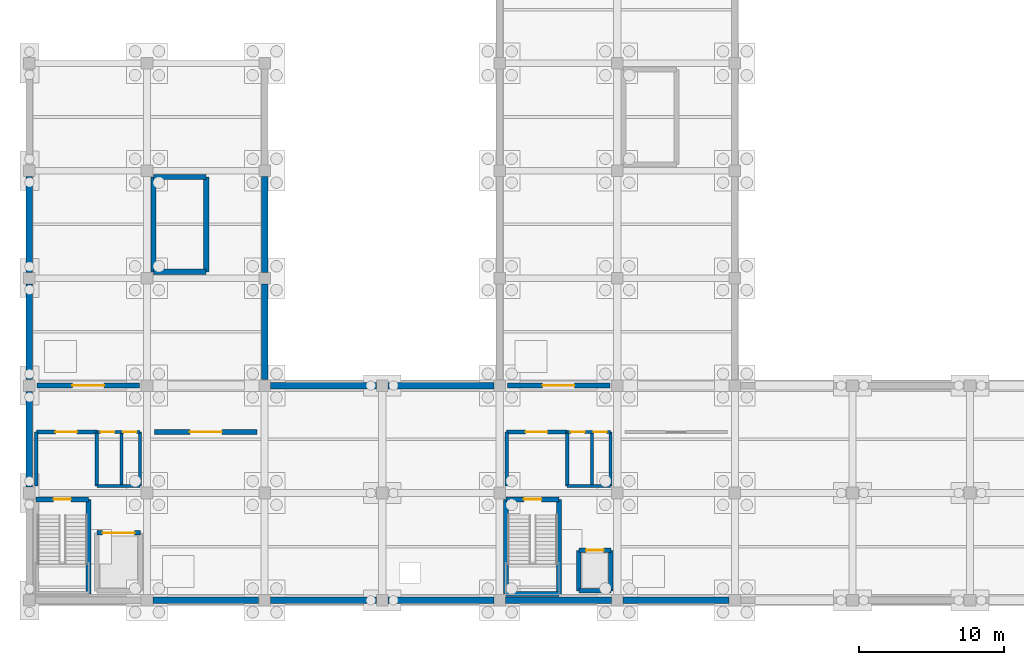
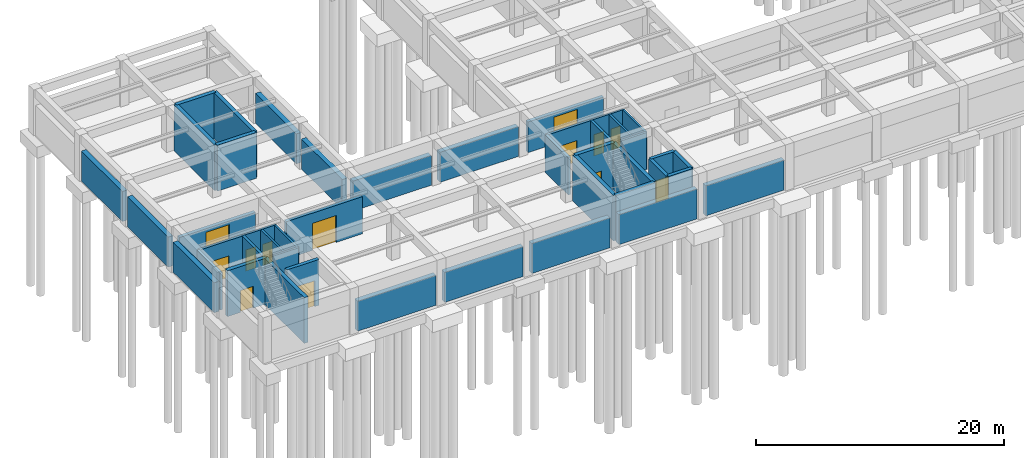
# One storey, part 7 of 14: 44 walls, 13 doors, 13 openings.
"""IFC4 building model written with IfcOpenShell, lengths in metres."""

from ifc_helpers import new_model, si_unit, direction, frame, frame_2d, origin, place, context, subcontext, project, spatial, rectangle, extrude, material, layer, layer_set, type_object, element, fill, save


model = new_model("IFC4")

# Units and contexts
model_context = context("Model", 3, precision=1e-05, world=origin(), true_north=direction((0.0, 1.0)))
body_context = subcontext(model_context, "Body", "Model", "MODEL_VIEW")
ifc_project = project(units=[si_unit("LENGTHUNIT", "METRE"), si_unit("AREAUNIT", "SQUARE_METRE"), si_unit("VOLUMEUNIT", "CUBIC_METRE"), si_unit("PLANEANGLEUNIT", "RADIAN"), si_unit("MASSUNIT", "GRAM", prefix="KILO")], contexts=[model_context])

# Site, building, storey
site_placement = place(None, origin())
site = spatial("IfcSite", under=ifc_project, at=site_placement, CompositionType="ELEMENT")
building_placement = place(site_placement, origin())
building = spatial("IfcBuilding", under=site, at=building_placement, Name="Cimatlan Art Gallery", CompositionType="ELEMENT")
storey_placement = place(building_placement, frame((0.0, 0.0, -4.800048828125)))
storey = spatial("IfcBuildingStorey", under=building, at=storey_placement, Name="B1", CompositionType="ELEMENT", Elevation=-4.800048828125)

# Wall, opening, door
ifc_material_1 = material(Name="Concrete C40/50", Category="concrete")
ifc_layer_1 = layer(ifc_material_1, 0.31005859375)
ifc_layer_set_1 = layer_set([ifc_layer_1], Name="Concrete C40/50")
wall_type_1 = type_object("IfcWallType", Name="W-CORE-310", PredefinedType="SHEAR", material=ifc_layer_set_1)
wall_1_placement = place(storey_placement, frame((6.64990234375, 28.550048828125, 0.0), z_axis=(0.0, 0.0, 1.0), x_axis=(1.0, 0.0, 0.0)))
wall_1 = element("IfcWall", 1, at=wall_1_placement, inside=storey, type_object=wall_type_1, Name="WL-SHFT-C1-B1-LN", PredefinedType="SHEAR", context=body_context, shape_type="SweptSolid", body=[
    extrude(rectangle(XDim=3.0, YDim=0.31005859375, at=frame_2d((1.5, 0.0))), origin(), (0.0, 0.0, 1.0), 4.51513671875),
])
opening_1_placement = place(wall_1_placement, frame((0.39990234375, 0.0, 0.0)))
opening_1 = element("IfcOpeningElement", 2, at=opening_1_placement, cuts=wall_1, Name="Opening LD-C1-B1", PredefinedType="OPENING", context=body_context, shape_type="SweptSolid", body=[
    extrude(rectangle(XDim=2.199951171875, YDim=2.550048828125, at=frame_2d((1.10009765625, 1.27490234375))), frame((0.0, 0.1650390625, 0.0), z_axis=(0.0, -1.0, 0.0), x_axis=(1.0, 0.0, 0.0)), (0.0, 0.0, 1.0), 0.330078125),
])
ifc_material_2 = material(Name="Heavy-duty bi-parting goods lift landing door")
door_type_1 = type_object("IfcDoorType", Name="LD-GD-2200", OperationType="NOTDEFINED", PredefinedType="DOOR", material=ifc_material_2)
door_1_placement = place(opening_1_placement, origin())
door_1 = element("IfcDoor", 3, at=door_1_placement, inside=storey, type_object=door_type_1, Name="LD-GL-01-B1", OperationType="SLIDING_TO_LEFT", OverallHeight=2.550048828125, OverallWidth=2.199951171875, PredefinedType="DOOR", context=body_context, shape_type="SweptSolid", body=[
    extrude(rectangle(XDim=2.199951171875, YDim=2.550048828125, at=frame_2d((1.10009765625, 1.27490234375))), frame((0.0, 0.02490234375, 0.0), z_axis=(0.0, -1.0, 0.0), x_axis=(1.0, 0.0, 0.0)), (0.0, 0.0, 1.0), 0.050048828125),
])
fill(opening_1, door_1)

# Walls
wall_2_placement = place(storey_placement, frame((39.85009765625, 24.550048828125, 0.0), z_axis=(0.0, 0.0, 1.0), x_axis=(0.0, 1.0, 0.0)))
element("IfcWall", 4, at=wall_2_placement, inside=storey, type_object=wall_type_1, Name="WL-SHFT-C2-B1-LW", PredefinedType="SHEAR", context=body_context, shape_type="SweptSolid", body=[
    extrude(rectangle(XDim=2.800048828125, YDim=0.31005859375, at=frame_2d((1.39990234375, 0.0))), origin(), (0.0, 0.0, 1.0), 4.51513671875),
])
wall_3_placement = place(storey_placement, frame((39.85009765625, 24.550048828125, 0.0), z_axis=(0.0, 0.0, 1.0), x_axis=(1.0, 0.0, 0.0)))
element("IfcWall", 5, at=wall_3_placement, inside=storey, type_object=wall_type_1, Name="WL-SHFT-C2-B1-LS", PredefinedType="SHEAR", context=body_context, shape_type="SweptSolid", body=[
    extrude(rectangle(XDim=2.199951171875, YDim=0.31005859375, at=frame_2d((1.10009765625, 0.0))), origin(), (0.0, 0.0, 1.0), 4.51513671875),
])
wall_4_placement = place(storey_placement, frame((42.050048828125, 24.550048828125, 0.0), z_axis=(0.0, 0.0, 1.0), x_axis=(0.0, 1.0, 0.0)))
element("IfcWall", 6, at=wall_4_placement, inside=storey, type_object=wall_type_1, Name="WL-SHFT-C2-B1-LE", PredefinedType="SHEAR", context=body_context, shape_type="SweptSolid", body=[
    extrude(rectangle(XDim=2.800048828125, YDim=0.31005859375, at=frame_2d((1.39990234375, 0.0))), origin(), (0.0, 0.0, 1.0), 4.51513671875),
])

# Wall, opening, door
wall_5_placement = place(storey_placement, frame((39.85009765625, 27.35009765625, 0.0), z_axis=(0.0, 0.0, 1.0), x_axis=(1.0, 0.0, 0.0)))
wall_5 = element("IfcWall", 7, at=wall_5_placement, inside=storey, type_object=wall_type_1, Name="WL-SHFT-C2-B1-LN", PredefinedType="SHEAR", context=body_context, shape_type="SweptSolid", body=[
    extrude(rectangle(XDim=2.199951171875, YDim=0.31005859375, at=frame_2d((1.10009765625, 0.0))), origin(), (0.0, 0.0, 1.0), 4.51513671875),
])
opening_2_placement = place(wall_5_placement, frame((0.5, 0.0, 0.0)))
opening_2 = element("IfcOpeningElement", 8, at=opening_2_placement, cuts=wall_5, Name="Opening LD-C2-B1", PredefinedType="OPENING", context=body_context, shape_type="SweptSolid", body=[
    extrude(rectangle(XDim=1.199951171875, YDim=2.14990234375, at=frame_2d((0.60009765625, 1.074951171875))), frame((0.0, 0.1650390625, 0.0), z_axis=(0.0, -1.0, 0.0), x_axis=(1.0, 0.0, 0.0)), (0.0, 0.0, 1.0), 0.330078125),
])
ifc_material_3 = material(Name="Fire-rated sliding firefighting lift landing door")
door_type_2 = type_object("IfcDoorType", Name="LD-FF-1200", OperationType="NOTDEFINED", PredefinedType="DOOR", material=ifc_material_3)
door_2_placement = place(opening_2_placement, origin())
door_2 = element("IfcDoor", 9, at=door_2_placement, inside=storey, type_object=door_type_2, Name="LD-FFL-01-B1", OperationType="SLIDING_TO_LEFT", OverallHeight=2.14990234375, OverallWidth=1.199951171875, PredefinedType="DOOR", context=body_context, shape_type="SweptSolid", body=[
    extrude(rectangle(XDim=1.199951171875, YDim=2.14990234375, at=frame_2d((0.60009765625, 1.074951171875))), frame((0.0, 0.02490234375, 0.0), z_axis=(0.0, -1.0, 0.0), x_axis=(1.0, 0.0, 0.0)), (0.0, 0.0, 1.0), 0.050048828125),
])
fill(opening_2, door_2)

# Wall
ifc_layer_2 = layer(ifc_material_1, 0.35009765625)
ifc_layer_set_2 = layer_set([ifc_layer_2], Name="Concrete C40/50")
wall_type_2 = type_object("IfcWallType", Name="W-CORE-350", PredefinedType="SHEAR", material=ifc_layer_set_2)
wall_6_placement = place(storey_placement, frame((6.080078125, 24.340087890625, 0.0), z_axis=(0.0, 0.0, 1.0), x_axis=(0.0, 1.0, 0.0)))
element("IfcWall", 10, at=wall_6_placement, inside=storey, type_object=wall_type_2, Name="WL-CORE-C1-B1-SE", PredefinedType="SHEAR", context=body_context, shape_type="SweptSolid", body=[
    extrude(rectangle(XDim=6.52001953125, YDim=0.35009765625, at=frame_2d((3.260009765625, 0.0))), origin(), (0.0, 0.0, 1.0), 4.51513671875),
])

# Wall, opening, door
wall_7_placement = place(storey_placement, frame((2.43994140625, 30.860107421875, 0.0), z_axis=(0.0, 0.0, 1.0), x_axis=(1.0, 0.0, 0.0)))
wall_7 = element("IfcWall", 11, at=wall_7_placement, inside=storey, type_object=wall_type_2, Name="WL-CORE-C1-B1-SN", PredefinedType="SHEAR", context=body_context, shape_type="SweptSolid", body=[
    extrude(rectangle(XDim=3.64013671875, YDim=0.35009765625, at=frame_2d((1.820068359375, 0.0))), origin(), (0.0, 0.0, 1.0), 4.51513671875),
])
opening_3_placement = place(wall_7_placement, frame((1.219970703125, 0.0, 0.0)))
opening_3 = element("IfcOpeningElement", 12, at=opening_3_placement, cuts=wall_7, Name="Opening FD-C1-B1", PredefinedType="OPENING", context=body_context, shape_type="SweptSolid", body=[
    extrude(rectangle(XDim=1.199951171875, YDim=2.14990234375, at=frame_2d((0.60009765625, 1.074951171875))), frame((0.0, 0.18505859375, 0.0), z_axis=(0.0, -1.0, 0.0), x_axis=(1.0, 0.0, 0.0)), (0.0, 0.0, 1.0), 0.3701171875),
])
ifc_material_4 = material(Name="Fire-resisting steel acoustic stair door", Category="steel")
door_type_3 = type_object("IfcDoorType", Name="FD-ST-1200", OperationType="NOTDEFINED", PredefinedType="DOOR", material=ifc_material_4)
door_3_placement = place(opening_3_placement, origin())
door_3 = element("IfcDoor", 13, at=door_3_placement, inside=storey, type_object=door_type_3, Name="DR-C1-B1-ST", OperationType="SINGLE_SWING_LEFT", OverallHeight=2.14990234375, OverallWidth=1.199951171875, PredefinedType="DOOR", context=body_context, shape_type="SweptSolid", body=[
    extrude(rectangle(XDim=1.199951171875, YDim=2.14990234375, at=frame_2d((0.60009765625, 1.074951171875))), frame((0.0, 0.02490234375, 0.0), z_axis=(0.0, -1.0, 0.0), x_axis=(1.0, 0.0, 0.0)), (0.0, 0.0, 1.0), 0.050048828125),
])
fill(opening_3, door_3)

# Walls
wall_8_placement = place(storey_placement, frame((34.840087890625, 24.340087890625, 0.0), z_axis=(0.0, 0.0, 1.0), x_axis=(0.0, 1.0, 0.0)))
element("IfcWall", 14, at=wall_8_placement, inside=storey, type_object=wall_type_2, Name="WL-CORE-C2-B1-SW", PredefinedType="SHEAR", context=body_context, shape_type="SweptSolid", body=[
    extrude(rectangle(XDim=6.52001953125, YDim=0.35009765625, at=frame_2d((3.260009765625, 0.0))), origin(), (0.0, 0.0, 1.0), 4.51513671875),
])
wall_9_placement = place(storey_placement, frame((34.840087890625, 24.340087890625, 0.0), z_axis=(0.0, 0.0, 1.0), x_axis=(1.0, 0.0, 0.0)))
element("IfcWall", 15, at=wall_9_placement, inside=storey, type_object=wall_type_2, Name="WL-CORE-C2-B1-SS", PredefinedType="SHEAR", context=body_context, shape_type="SweptSolid", body=[
    extrude(rectangle(XDim=3.639892578125, YDim=0.35009765625, at=frame_2d((1.81982421875, 0.0))), origin(), (0.0, 0.0, 1.0), 4.51513671875),
])
wall_10_placement = place(storey_placement, frame((38.47998046875, 24.340087890625, 0.0), z_axis=(0.0, 0.0, 1.0), x_axis=(0.0, 1.0, 0.0)))
element("IfcWall", 16, at=wall_10_placement, inside=storey, type_object=wall_type_2, Name="WL-CORE-C2-B1-SE", PredefinedType="SHEAR", context=body_context, shape_type="SweptSolid", body=[
    extrude(rectangle(XDim=6.52001953125, YDim=0.35009765625, at=frame_2d((3.260009765625, 0.0))), origin(), (0.0, 0.0, 1.0), 4.51513671875),
])

# Wall, opening, door
wall_11_placement = place(storey_placement, frame((34.840087890625, 30.860107421875, 0.0), z_axis=(0.0, 0.0, 1.0), x_axis=(1.0, 0.0, 0.0)))
wall_11 = element("IfcWall", 17, at=wall_11_placement, inside=storey, type_object=wall_type_2, Name="WL-CORE-C2-B1-SN", PredefinedType="SHEAR", context=body_context, shape_type="SweptSolid", body=[
    extrude(rectangle(XDim=3.639892578125, YDim=0.35009765625, at=frame_2d((1.81982421875, 0.0))), origin(), (0.0, 0.0, 1.0), 4.51513671875),
])
opening_4_placement = place(wall_11_placement, frame((1.219970703125, 0.0, 0.0)))
opening_4 = element("IfcOpeningElement", 18, at=opening_4_placement, cuts=wall_11, Name="Opening FD-C2-B1", PredefinedType="OPENING", context=body_context, shape_type="SweptSolid", body=[
    extrude(rectangle(XDim=1.199951171875, YDim=2.14990234375, at=frame_2d((0.60009765625, 1.074951171875))), frame((0.0, 0.18505859375, 0.0), z_axis=(0.0, -1.0, 0.0), x_axis=(1.0, 0.0, 0.0)), (0.0, 0.0, 1.0), 0.3701171875),
])
door_4_placement = place(opening_4_placement, origin())
door_4 = element("IfcDoor", 19, at=door_4_placement, inside=storey, type_object=door_type_3, Name="DR-C2-B1-ST", OperationType="SINGLE_SWING_LEFT", OverallHeight=2.14990234375, OverallWidth=1.199951171875, PredefinedType="DOOR", context=body_context, shape_type="SweptSolid", body=[
    extrude(rectangle(XDim=1.199951171875, YDim=2.14990234375, at=frame_2d((0.60009765625, 1.074951171875))), frame((0.0, 0.02490234375, 0.0), z_axis=(0.0, -1.0, 0.0), x_axis=(1.0, 0.0, 0.0)), (0.0, 0.0, 1.0), 0.050048828125),
])
fill(opening_4, door_4)

# Walls
wall_12_placement = place(storey_placement, frame((10.5400390625, 46.5400390625, 0.0), z_axis=(0.0, 0.0, 1.0), x_axis=(0.0, 1.0, 0.0)))
element("IfcWall", 20, at=wall_12_placement, inside=storey, type_object=wall_type_2, Name="WL-CORE-C7-B1-SW", PredefinedType="SHEAR", context=body_context, shape_type="SweptSolid", body=[
    extrude(rectangle(XDim=6.52001953125, YDim=0.35009765625, at=frame_2d((3.260009765625, 0.0))), origin(), (0.0, 0.0, 1.0), 4.51513671875),
])
wall_13_placement = place(storey_placement, frame((10.5400390625, 46.5400390625, 0.0), z_axis=(0.0, 0.0, 1.0), x_axis=(1.0, 0.0, 0.0)))
element("IfcWall", 21, at=wall_13_placement, inside=storey, type_object=wall_type_2, Name="WL-CORE-C7-B1-SS", PredefinedType="SHEAR", context=body_context, shape_type="SweptSolid", body=[
    extrude(rectangle(XDim=3.639892578125, YDim=0.35009765625, at=frame_2d((1.81982421875, 0.0))), origin(), (0.0, 0.0, 1.0), 4.51513671875),
])
wall_14_placement = place(storey_placement, frame((14.179931640625, 46.5400390625, 0.0), z_axis=(0.0, 0.0, 1.0), x_axis=(0.0, 1.0, 0.0)))
element("IfcWall", 22, at=wall_14_placement, inside=storey, type_object=wall_type_2, Name="WL-CORE-C7-B1-SE", PredefinedType="SHEAR", context=body_context, shape_type="SweptSolid", body=[
    extrude(rectangle(XDim=6.52001953125, YDim=0.35009765625, at=frame_2d((3.260009765625, 0.0))), origin(), (0.0, 0.0, 1.0), 4.51513671875),
])
wall_15_placement = place(storey_placement, frame((10.5400390625, 53.06005859375, 0.0), z_axis=(0.0, 0.0, 1.0), x_axis=(1.0, 0.0, 0.0)))
element("IfcWall", 23, at=wall_15_placement, inside=storey, type_object=wall_type_2, Name="WL-CORE-C7-B1-SN", PredefinedType="SHEAR", context=body_context, shape_type="SweptSolid", body=[
    extrude(rectangle(XDim=3.639892578125, YDim=0.35009765625, at=frame_2d((1.81982421875, 0.0))), origin(), (0.0, 0.0, 1.0), 4.51513671875),
])

# Wall, opening, door
ifc_material_5 = material(Name="Precast concrete C40/50", Category="concrete")
ifc_layer_3 = layer(ifc_material_5, 0.2451171875)
ifc_layer_set_3 = layer_set([ifc_layer_3], Name="Precast concrete C40/50")
wall_type_3 = type_object("IfcWallType", Name="W-FFL-245", PredefinedType="PARTITIONING", material=ifc_layer_set_3)
wall_16_placement = place(storey_placement, frame((2.47998046875, 35.5, 0.0), z_axis=(0.0, 0.0, 1.0), x_axis=(1.0, 0.0, 0.0)))
wall_16 = element("IfcWall", 24, at=wall_16_placement, inside=storey, type_object=wall_type_3, Name="WL-LOB-C1-B1-N", PredefinedType="PARTITIONING", context=body_context, shape_type="SweptSolid", body=[
    extrude(rectangle(XDim=4.169921875, YDim=0.2451171875, at=frame_2d((2.0849609375, 0.0))), origin(), (0.0, 0.0, 1.0), 3.66015625),
])
opening_5_placement = place(wall_16_placement, frame((1.300048828125, 0.0, 0.0)))
opening_5 = element("IfcOpeningElement", 25, at=opening_5_placement, cuts=wall_16, Name="Opening FDL-C1-B1", PredefinedType="OPENING", context=body_context, shape_type="SweptSolid", body=[
    extrude(rectangle(XDim=1.5, YDim=2.14990234375, at=frame_2d((0.75, 1.074951171875))), frame((0.0, 0.132568359375, 0.0), z_axis=(0.0, -1.0, 0.0), x_axis=(1.0, 0.0, 0.0)), (0.0, 0.0, 1.0), 0.26513671875),
])
ifc_material_6 = material(Name="Fire-resisting double-seal lobby door")
door_type_4 = type_object("IfcDoorType", Name="FD-LB-1500", OperationType="NOTDEFINED", PredefinedType="DOOR", material=ifc_material_6)
door_5_placement = place(opening_5_placement, origin())
door_5 = element("IfcDoor", 26, at=door_5_placement, inside=storey, type_object=door_type_4, Name="DR-LOB-C1-B1", OperationType="SINGLE_SWING_RIGHT", OverallHeight=2.14990234375, OverallWidth=1.5, PredefinedType="DOOR", context=body_context, shape_type="SweptSolid", body=[
    extrude(rectangle(XDim=1.5, YDim=2.14990234375, at=frame_2d((0.75, 1.074951171875))), frame((0.0, 0.02490234375, 0.0), z_axis=(0.0, -1.0, 0.0), x_axis=(1.0, 0.0, 0.0)), (0.0, 0.0, 1.0), 0.050048828125),
])
fill(opening_5, door_5)

# Walls
for number, where, z_axis, x_axis, name in (
    (27, (2.47998046875, 31.780029296875, 0.0), (0.0, 0.0, 1.0), (0.0, 1.0, 0.0), "WL-LOB-C1-B1-W"),
    (28, (6.64990234375, 31.780029296875, 0.0), (0.0, 0.0, 1.0), (0.0, 1.0, 0.0), "WL-LOB-C1-B1-M"),
):
    element("IfcWall", number, at=place(storey_placement, frame(where, z_axis=z_axis, x_axis=x_axis)), inside=storey, type_object=wall_type_3, Name=name, PredefinedType="PARTITIONING", context=body_context, shape_type="SweptSolid", body=[
        extrude(rectangle(XDim=3.719970703125, YDim=0.2451171875, at=frame_2d((1.85986328125, 0.0))), origin(), (0.0, 0.0, 1.0), 3.66015625),
    ])

# Wall, opening, door
wall_17_placement = place(storey_placement, frame((34.8798828125, 35.5, 0.0), z_axis=(0.0, 0.0, 1.0), x_axis=(1.0, 0.0, 0.0)))
wall_17 = element("IfcWall", 29, at=wall_17_placement, inside=storey, type_object=wall_type_3, Name="WL-LOB-C2-B1-N", PredefinedType="PARTITIONING", context=body_context, shape_type="SweptSolid", body=[
    extrude(rectangle(XDim=4.170166015625, YDim=0.2451171875, at=frame_2d((2.0849609375, 0.0))), origin(), (0.0, 0.0, 1.0), 3.66015625),
])
opening_6_placement = place(wall_17_placement, frame((1.300048828125, 0.0, 0.0)))
opening_6 = element("IfcOpeningElement", 30, at=opening_6_placement, cuts=wall_17, Name="Opening FDL-C2-B1", PredefinedType="OPENING", context=body_context, shape_type="SweptSolid", body=[
    extrude(rectangle(XDim=1.5, YDim=2.14990234375, at=frame_2d((0.75, 1.074951171875))), frame((0.0, 0.132568359375, 0.0), z_axis=(0.0, -1.0, 0.0), x_axis=(1.0, 0.0, 0.0)), (0.0, 0.0, 1.0), 0.26513671875),
])
door_6_placement = place(opening_6_placement, origin())
door_6 = element("IfcDoor", 31, at=door_6_placement, inside=storey, type_object=door_type_4, Name="DR-LOB-C2-B1", OperationType="SINGLE_SWING_RIGHT", OverallHeight=2.14990234375, OverallWidth=1.5, PredefinedType="DOOR", context=body_context, shape_type="SweptSolid", body=[
    extrude(rectangle(XDim=1.5, YDim=2.14990234375, at=frame_2d((0.75, 1.074951171875))), frame((0.0, 0.02490234375, 0.0), z_axis=(0.0, -1.0, 0.0), x_axis=(1.0, 0.0, 0.0)), (0.0, 0.0, 1.0), 0.050048828125),
])
fill(opening_6, door_6)

# Walls
for number, where, z_axis, x_axis, name in (
    (32, (34.8798828125, 31.780029296875, 0.0), (0.0, 0.0, 1.0), (0.0, 1.0, 0.0), "WL-LOB-C2-B1-W"),
    (33, (39.050048828125, 31.780029296875, 0.0), (0.0, 0.0, 1.0), (0.0, 1.0, 0.0), "WL-LOB-C2-B1-M"),
):
    element("IfcWall", number, at=place(storey_placement, frame(where, z_axis=z_axis, x_axis=x_axis)), inside=storey, type_object=wall_type_3, Name=name, PredefinedType="PARTITIONING", context=body_context, shape_type="SweptSolid", body=[
        extrude(rectangle(XDim=3.719970703125, YDim=0.2451171875, at=frame_2d((1.85986328125, 0.0))), origin(), (0.0, 0.0, 1.0), 3.66015625),
    ])
ifc_material_7 = material(Name="Moisture-resistant fire-rated plumbing wall")
ifc_layer_4 = layer(ifc_material_7, 0.195068359375)
ifc_layer_set_4 = layer_set([ifc_layer_4], Name="Moisture-resistant fire-rated plumbing wall")
wall_type_4 = type_object("IfcWallType", Name="W-PLM-195", PredefinedType="PARTITIONING", material=ifc_layer_set_4)
for number, where, z_axis, x_axis, name in (
    (34, (8.35009765625, 31.780029296875, 0.0), (0.0, 0.0, 1.0), (0.0, 1.0, 0.0), "WL-LOB-C1-B1-D"),
    (35, (9.6201171875, 31.780029296875, 0.0), (0.0, 0.0, 1.0), (0.0, 1.0, 0.0), "WL-LOB-C1-B1-E"),
):
    element("IfcWall", number, at=place(storey_placement, frame(where, z_axis=z_axis, x_axis=x_axis)), inside=storey, type_object=wall_type_4, Name=name, PredefinedType="PARTITIONING", context=body_context, shape_type="SweptSolid", body=[
        extrude(rectangle(XDim=3.719970703125, YDim=0.195068359375, at=frame_2d((1.85986328125, 0.0))), origin(), (0.0, 0.0, 1.0), 3.66015625),
    ])
wall_18_placement = place(storey_placement, frame((6.64990234375, 31.780029296875, 0.0), z_axis=(0.0, 0.0, 1.0), x_axis=(1.0, 0.0, 0.0)))
element("IfcWall", 36, at=wall_18_placement, inside=storey, type_object=wall_type_4, Name="WL-LOB-C1-B1-S", PredefinedType="PARTITIONING", context=body_context, shape_type="SweptSolid", body=[
    extrude(rectangle(XDim=2.97021484375, YDim=0.195068359375, at=frame_2d((1.485107421875, 0.0))), origin(), (0.0, 0.0, 1.0), 3.66015625),
])

# Wall, openings, doors
wall_19_placement = place(storey_placement, frame((6.64990234375, 35.5, 0.0), z_axis=(0.0, 0.0, 1.0), x_axis=(1.0, 0.0, 0.0)))
wall_19 = element("IfcWall", 37, at=wall_19_placement, inside=storey, type_object=wall_type_4, Name="WL-WC-C1-B1-N", PredefinedType="PARTITIONING", context=body_context, shape_type="SweptSolid", body=[
    extrude(rectangle(XDim=2.97021484375, YDim=0.195068359375, at=frame_2d((1.485107421875, 0.0))), origin(), (0.0, 0.0, 1.0), 3.66015625),
])
opening_7_placement = place(wall_19_placement, frame((0.25, 0.0, 0.0)))
opening_7 = element("IfcOpeningElement", 38, at=opening_7_placement, cuts=wall_19, Name="Opening DWC-C1A-B1", PredefinedType="OPENING", context=body_context, shape_type="SweptSolid", body=[
    extrude(rectangle(XDim=0.949951171875, YDim=2.10009765625, at=frame_2d((0.47509765625, 1.050048828125))), frame((0.0, 0.107421875, 0.0), z_axis=(0.0, -1.0, 0.0), x_axis=(1.0, 0.0, 0.0)), (0.0, 0.0, 1.0), 0.215087890625),
])
opening_8_placement = place(wall_19_placement, frame((1.820068359375, 0.0, 0.0)))
opening_8 = element("IfcOpeningElement", 39, at=opening_8_placement, cuts=wall_19, Name="Opening DWC-C1B-B1", PredefinedType="OPENING", context=body_context, shape_type="SweptSolid", body=[
    extrude(rectangle(XDim=0.89990234375, YDim=2.10009765625, at=frame_2d((0.449951171875, 1.050048828125))), frame((0.0, 0.107421875, 0.0), z_axis=(0.0, -1.0, 0.0), x_axis=(1.0, 0.0, 0.0)), (0.0, 0.0, 1.0), 0.215087890625),
])
ifc_material_8 = material(Name="Sanitary room door")
door_type_5 = type_object("IfcDoorType", Name="DI-WC-0900", OperationType="NOTDEFINED", PredefinedType="DOOR", material=ifc_material_8)
door_7_placement = place(opening_8_placement, origin())
door_7 = element("IfcDoor", 40, at=door_7_placement, inside=storey, type_object=door_type_5, Name="DR-PWC-C1-B1", OperationType="SINGLE_SWING_RIGHT", OverallHeight=2.10009765625, OverallWidth=0.89990234375, PredefinedType="DOOR", context=body_context, shape_type="SweptSolid", body=[
    extrude(rectangle(XDim=0.89990234375, YDim=2.10009765625, at=frame_2d((0.449951171875, 1.050048828125))), frame((0.0, 0.02490234375, 0.0), z_axis=(0.0, -1.0, 0.0), x_axis=(1.0, 0.0, 0.0)), (0.0, 0.0, 1.0), 0.050048828125),
])
fill(opening_8, door_7)
ifc_material_9 = material(Name="Accessible sanitary room door")
door_type_6 = type_object("IfcDoorType", Name="DI-WC-0950", OperationType="NOTDEFINED", PredefinedType="DOOR", material=ifc_material_9)
door_8_placement = place(opening_7_placement, origin())
door_8 = element("IfcDoor", 41, at=door_8_placement, inside=storey, type_object=door_type_6, Name="DR-AWC-C1-B1", OperationType="SINGLE_SWING_LEFT", OverallHeight=2.10009765625, OverallWidth=0.949951171875, PredefinedType="DOOR", context=body_context, shape_type="SweptSolid", body=[
    extrude(rectangle(XDim=0.949951171875, YDim=2.10009765625, at=frame_2d((0.47509765625, 1.050048828125))), frame((0.0, 0.02490234375, 0.0), z_axis=(0.0, -1.0, 0.0), x_axis=(1.0, 0.0, 0.0)), (0.0, 0.0, 1.0), 0.050048828125),
])
fill(opening_7, door_8)

# Walls
for number, where, z_axis, x_axis, name in (
    (42, (40.75, 31.780029296875, 0.0), (0.0, 0.0, 1.0), (0.0, 1.0, 0.0), "WL-LOB-C2-B1-D"),
    (43, (42.02001953125, 31.780029296875, 0.0), (0.0, 0.0, 1.0), (0.0, 1.0, 0.0), "WL-LOB-C2-B1-E"),
):
    element("IfcWall", number, at=place(storey_placement, frame(where, z_axis=z_axis, x_axis=x_axis)), inside=storey, type_object=wall_type_4, Name=name, PredefinedType="PARTITIONING", context=body_context, shape_type="SweptSolid", body=[
        extrude(rectangle(XDim=3.719970703125, YDim=0.195068359375, at=frame_2d((1.85986328125, 0.0))), origin(), (0.0, 0.0, 1.0), 3.66015625),
    ])
wall_20_placement = place(storey_placement, frame((39.050048828125, 31.780029296875, 0.0), z_axis=(0.0, 0.0, 1.0), x_axis=(1.0, 0.0, 0.0)))
element("IfcWall", 44, at=wall_20_placement, inside=storey, type_object=wall_type_4, Name="WL-LOB-C2-B1-S", PredefinedType="PARTITIONING", context=body_context, shape_type="SweptSolid", body=[
    extrude(rectangle(XDim=2.969970703125, YDim=0.195068359375, at=frame_2d((1.48486328125, 0.0))), origin(), (0.0, 0.0, 1.0), 3.66015625),
])

# Wall, openings, doors
wall_21_placement = place(storey_placement, frame((39.050048828125, 35.5, 0.0), z_axis=(0.0, 0.0, 1.0), x_axis=(1.0, 0.0, 0.0)))
wall_21 = element("IfcWall", 45, at=wall_21_placement, inside=storey, type_object=wall_type_4, Name="WL-WC-C2-B1-N", PredefinedType="PARTITIONING", context=body_context, shape_type="SweptSolid", body=[
    extrude(rectangle(XDim=2.969970703125, YDim=0.195068359375, at=frame_2d((1.48486328125, 0.0))), origin(), (0.0, 0.0, 1.0), 3.66015625),
])
opening_9_placement = place(wall_21_placement, frame((0.25, 0.0, 0.0)))
opening_9 = element("IfcOpeningElement", 46, at=opening_9_placement, cuts=wall_21, Name="Opening DWC-C2A-B1", PredefinedType="OPENING", context=body_context, shape_type="SweptSolid", body=[
    extrude(rectangle(XDim=0.949951171875, YDim=2.10009765625, at=frame_2d((0.47509765625, 1.050048828125))), frame((0.0, 0.107421875, 0.0), z_axis=(0.0, -1.0, 0.0), x_axis=(1.0, 0.0, 0.0)), (0.0, 0.0, 1.0), 0.215087890625),
])
opening_10_placement = place(wall_21_placement, frame((1.820068359375, 0.0, 0.0)))
opening_10 = element("IfcOpeningElement", 47, at=opening_10_placement, cuts=wall_21, Name="Opening DWC-C2B-B1", PredefinedType="OPENING", context=body_context, shape_type="SweptSolid", body=[
    extrude(rectangle(XDim=0.89990234375, YDim=2.10009765625, at=frame_2d((0.449951171875, 1.050048828125))), frame((0.0, 0.107421875, 0.0), z_axis=(0.0, -1.0, 0.0), x_axis=(1.0, 0.0, 0.0)), (0.0, 0.0, 1.0), 0.215087890625),
])
door_9_placement = place(opening_10_placement, origin())
door_9 = element("IfcDoor", 48, at=door_9_placement, inside=storey, type_object=door_type_5, Name="DR-PWC-C2-B1", OperationType="SINGLE_SWING_RIGHT", OverallHeight=2.10009765625, OverallWidth=0.89990234375, PredefinedType="DOOR", context=body_context, shape_type="SweptSolid", body=[
    extrude(rectangle(XDim=0.89990234375, YDim=2.10009765625, at=frame_2d((0.449951171875, 1.050048828125))), frame((0.0, 0.02490234375, 0.0), z_axis=(0.0, -1.0, 0.0), x_axis=(1.0, 0.0, 0.0)), (0.0, 0.0, 1.0), 0.050048828125),
])
fill(opening_10, door_9)
door_10_placement = place(opening_9_placement, origin())
door_10 = element("IfcDoor", 49, at=door_10_placement, inside=storey, type_object=door_type_6, Name="DR-AWC-C2-B1", OperationType="SINGLE_SWING_LEFT", OverallHeight=2.10009765625, OverallWidth=0.949951171875, PredefinedType="DOOR", context=body_context, shape_type="SweptSolid", body=[
    extrude(rectangle(XDim=0.949951171875, YDim=2.10009765625, at=frame_2d((0.47509765625, 1.050048828125))), frame((0.0, 0.02490234375, 0.0), z_axis=(0.0, -1.0, 0.0), x_axis=(1.0, 0.0, 0.0)), (0.0, 0.0, 1.0), 0.050048828125),
])
fill(opening_9, door_10)

# Wall, opening, door
ifc_layer_5 = layer(ifc_material_1, 0.324951171875)
ifc_layer_set_5 = layer_set([ifc_layer_5], Name="Concrete C40/50")
wall_type_5 = type_object("IfcWallType", Name="W-VAULT-325", PredefinedType="SHEAR", material=ifc_layer_set_5)
wall_22_placement = place(storey_placement, frame((2.52001953125, 38.699951171875, 0.0), z_axis=(0.0, 0.0, 1.0), x_axis=(1.0, 0.0, 0.0)))
wall_22 = element("IfcWall", 50, at=wall_22_placement, inside=storey, type_object=wall_type_5, Name="WL-RM-B1-AST-01", PredefinedType="SHEAR", context=body_context, shape_type="SweptSolid", body=[
    extrude(rectangle(XDim=7.06005859375, YDim=0.324951171875, at=frame_2d((3.530029296875, 0.0))), origin(), (0.0, 0.0, 1.0), 3.010009765625),
])
opening_11_placement = place(wall_22_placement, frame((2.429931640625, 0.0, 0.0)))
opening_11 = element("IfcOpeningElement", 51, at=opening_11_placement, cuts=wall_22, Name="Opening DI-0159", PredefinedType="OPENING", context=body_context, shape_type="SweptSolid", body=[
    extrude(rectangle(XDim=2.199951171875, YDim=2.64990234375, at=frame_2d((1.10009765625, 1.324951171875))), frame((0.0, 0.17236328125, 0.0), z_axis=(0.0, -1.0, 0.0), x_axis=(1.0, 0.0, 0.0)), (0.0, 0.0, 1.0), 0.344970703125),
])
ifc_material_10 = material(Name="Fire-resisting large-format art-store door")
door_type_7 = type_object("IfcDoorType", Name="FD-VL-2200", OperationType="NOTDEFINED", PredefinedType="DOOR", material=ifc_material_10)
door_11_placement = place(opening_11_placement, origin())
door_11 = element("IfcDoor", 52, at=door_11_placement, inside=storey, type_object=door_type_7, Name="DR-RM-B1-AST-01", OperationType="SINGLE_SWING_LEFT", OverallHeight=2.64990234375, OverallWidth=2.199951171875, PredefinedType="DOOR", context=body_context, shape_type="SweptSolid", body=[
    extrude(rectangle(XDim=2.199951171875, YDim=2.64990234375, at=frame_2d((1.10009765625, 1.324951171875))), frame((0.0, 0.02490234375, 0.0), z_axis=(0.0, -1.0, 0.0), x_axis=(1.0, 0.0, 0.0)), (0.0, 0.0, 1.0), 0.050048828125),
])
fill(opening_11, door_11)

wall_23_placement = place(storey_placement, frame((34.919921875, 38.699951171875, 0.0), z_axis=(0.0, 0.0, 1.0), x_axis=(1.0, 0.0, 0.0)))
wall_23 = element("IfcWall", 53, at=wall_23_placement, inside=storey, type_object=wall_type_5, Name="WL-RM-B1-AST-02", PredefinedType="SHEAR", context=body_context, shape_type="SweptSolid", body=[
    extrude(rectangle(XDim=7.06005859375, YDim=0.324951171875, at=frame_2d((3.530029296875, 0.0))), origin(), (0.0, 0.0, 1.0), 3.010009765625),
])
opening_12_placement = place(wall_23_placement, frame((2.429931640625, 0.0, 0.0)))
opening_12 = element("IfcOpeningElement", 54, at=opening_12_placement, cuts=wall_23, Name="Opening DI-0160", PredefinedType="OPENING", context=body_context, shape_type="SweptSolid", body=[
    extrude(rectangle(XDim=2.199951171875, YDim=2.64990234375, at=frame_2d((1.10009765625, 1.324951171875))), frame((0.0, 0.17236328125, 0.0), z_axis=(0.0, -1.0, 0.0), x_axis=(1.0, 0.0, 0.0)), (0.0, 0.0, 1.0), 0.344970703125),
])
door_12_placement = place(opening_12_placement, origin())
door_12 = element("IfcDoor", 55, at=door_12_placement, inside=storey, type_object=door_type_7, Name="DR-RM-B1-AST-02", OperationType="SINGLE_SWING_RIGHT", OverallHeight=2.64990234375, OverallWidth=2.199951171875, PredefinedType="DOOR", context=body_context, shape_type="SweptSolid", body=[
    extrude(rectangle(XDim=2.199951171875, YDim=2.64990234375, at=frame_2d((1.10009765625, 1.324951171875))), frame((0.0, 0.02490234375, 0.0), z_axis=(0.0, -1.0, 0.0), x_axis=(1.0, 0.0, 0.0)), (0.0, 0.0, 1.0), 0.050048828125),
])
fill(opening_12, door_12)

wall_24_placement = place(storey_placement, frame((10.6201171875, 35.5, 0.0), z_axis=(0.0, 0.0, 1.0), x_axis=(1.0, 0.0, 0.0)))
wall_24 = element("IfcWall", 56, at=wall_24_placement, inside=storey, type_object=wall_type_5, Name="WL-RM-B1-CRT-01", PredefinedType="SHEAR", context=body_context, shape_type="SweptSolid", body=[
    extrude(rectangle(XDim=7.059814453125, YDim=0.324951171875, at=frame_2d((3.52978515625, 0.0))), origin(), (0.0, 0.0, 1.0), 3.66015625),
])
opening_13_placement = place(wall_24_placement, frame((2.429931640625, 0.0, 0.0)))
opening_13 = element("IfcOpeningElement", 57, at=opening_13_placement, cuts=wall_24, Name="Opening DI-0164", PredefinedType="OPENING", context=body_context, shape_type="SweptSolid", body=[
    extrude(rectangle(XDim=2.199951171875, YDim=2.64990234375, at=frame_2d((1.10009765625, 1.324951171875))), frame((0.0, 0.17236328125, 0.0), z_axis=(0.0, -1.0, 0.0), x_axis=(1.0, 0.0, 0.0)), (0.0, 0.0, 1.0), 0.344970703125),
])
door_13_placement = place(opening_13_placement, origin())
door_13 = element("IfcDoor", 58, at=door_13_placement, inside=storey, type_object=door_type_7, Name="DR-RM-B1-CRT-01", OperationType="SINGLE_SWING_RIGHT", OverallHeight=2.64990234375, OverallWidth=2.199951171875, PredefinedType="DOOR", context=body_context, shape_type="SweptSolid", body=[
    extrude(rectangle(XDim=2.199951171875, YDim=2.64990234375, at=frame_2d((1.10009765625, 1.324951171875))), frame((0.0, 0.02490234375, 0.0), z_axis=(0.0, -1.0, 0.0), x_axis=(1.0, 0.0, 0.0)), (0.0, 0.0, 1.0), 0.050048828125),
])
fill(opening_13, door_13)

# Walls
ifc_layer_6 = layer(ifc_material_1, 0.449951171875)
ifc_layer_set_6 = layer_set([ifc_layer_6], Name="Concrete C40/50")
wall_type_6 = type_object("IfcWallType", Name="WL-RET-450", PredefinedType="USERDEFINED", material=ifc_layer_set_6)
wall_25_placement = place(storey_placement, frame((2.0, 31.7041015625, 0.0), z_axis=(0.0, 0.0, 1.0), x_axis=(0.0, 1.0, 0.0)))
element("IfcWall", 59, at=wall_25_placement, inside=storey, type_object=wall_type_6, Name="WL-B1-RET-007", ObjectType="RETAININGWALL", PredefinedType="USERDEFINED", context=body_context, shape_type="SweptSolid", body=[
    extrude(rectangle(XDim=6.591796875, YDim=0.449951171875, at=frame_2d((3.2958984375, 0.0))), origin(), (0.0, 0.0, 1.0), 2.949951171875),
])
for number, where, z_axis, x_axis, name in (
    (60, (2.0, 39.10400390625, 0.0), (0.0, 0.0, 1.0), (0.0, 1.0, 0.0), "WL-B1-RET-008"),
    (61, (2.0, 46.50390625, 0.0), (0.0, 0.0, 1.0), (0.0, 1.0, 0.0), "WL-B1-RET-009"),
):
    element("IfcWall", number, at=place(storey_placement, frame(where, z_axis=z_axis, x_axis=x_axis)), inside=storey, type_object=wall_type_6, Name=name, ObjectType="RETAININGWALL", PredefinedType="USERDEFINED", context=body_context, shape_type="SweptSolid", body=[
        extrude(rectangle(XDim=6.592041015625, YDim=0.449951171875, at=frame_2d((3.2958984375, 0.0))), origin(), (0.0, 0.0, 1.0), 2.949951171875),
    ])
wall_26_placement = place(storey_placement, frame((17.7958984375, 23.89990234375, 0.0), z_axis=(0.0, 0.0, 1.0), x_axis=(-1.0, 0.0, 0.0)))
element("IfcWall", 62, at=wall_26_placement, inside=storey, type_object=wall_type_6, Name="WL-B1-RET-012", ObjectType="RETAININGWALL", PredefinedType="USERDEFINED", context=body_context, shape_type="SweptSolid", body=[
    extrude(rectangle(XDim=7.2919921875, YDim=0.449951171875, at=frame_2d((3.64599609375, 0.0))), origin(), (0.0, 0.0, 1.0), 2.949951171875),
])
for number, where, z_axis, x_axis, name in (
    (63, (18.199951171875, 45.696044921875, 0.0), (0.0, 0.0, 1.0), (0.0, -1.0, 0.0), "WL-B1-RET-013"),
    (64, (18.199951171875, 53.095947265625, 0.0), (0.0, 0.0, 1.0), (0.0, -1.0, 0.0), "WL-B1-RET-014"),
):
    element("IfcWall", number, at=place(storey_placement, frame(where, z_axis=z_axis, x_axis=x_axis)), inside=storey, type_object=wall_type_6, Name=name, ObjectType="RETAININGWALL", PredefinedType="USERDEFINED", context=body_context, shape_type="SweptSolid", body=[
        extrude(rectangle(XDim=6.592041015625, YDim=0.449951171875, at=frame_2d((3.2958984375, 0.0))), origin(), (0.0, 0.0, 1.0), 2.949951171875),
    ])
for number, where, z_axis, x_axis, name in (
    (65, (25.89599609375, 23.89990234375, 0.0), (0.0, 0.0, 1.0), (-1.0, 0.0, 0.0), "WL-B1-RET-017"),
    (66, (18.60400390625, 38.699951171875, 0.0), (0.0, 0.0, 1.0), (1.0, 0.0, 0.0), "WL-B1-RET-018"),
    (67, (33.99609375, 23.89990234375, 0.0), (0.0, 0.0, 1.0), (-1.0, 0.0, 0.0), "WL-B1-RET-019"),
    (68, (26.7041015625, 38.699951171875, 0.0), (0.0, 0.0, 1.0), (1.0, 0.0, 0.0), "WL-B1-RET-020"),
    (69, (42.095947265625, 23.89990234375, 0.0), (0.0, 0.0, 1.0), (-1.0, 0.0, 0.0), "WL-B1-RET-021"),
    (70, (50.196044921875, 23.89990234375, 0.0), (0.0, 0.0, 1.0), (-1.0, 0.0, 0.0), "WL-B1-RET-027"),
):
    element("IfcWall", number, at=place(storey_placement, frame(where, z_axis=z_axis, x_axis=x_axis)), inside=storey, type_object=wall_type_6, Name=name, ObjectType="RETAININGWALL", PredefinedType="USERDEFINED", context=body_context, shape_type="SweptSolid", body=[
        extrude(rectangle(XDim=7.2919921875, YDim=0.449951171875, at=frame_2d((3.64599609375, 0.0))), origin(), (0.0, 0.0, 1.0), 2.949951171875),
    ])

save(model, "model.ifc")
